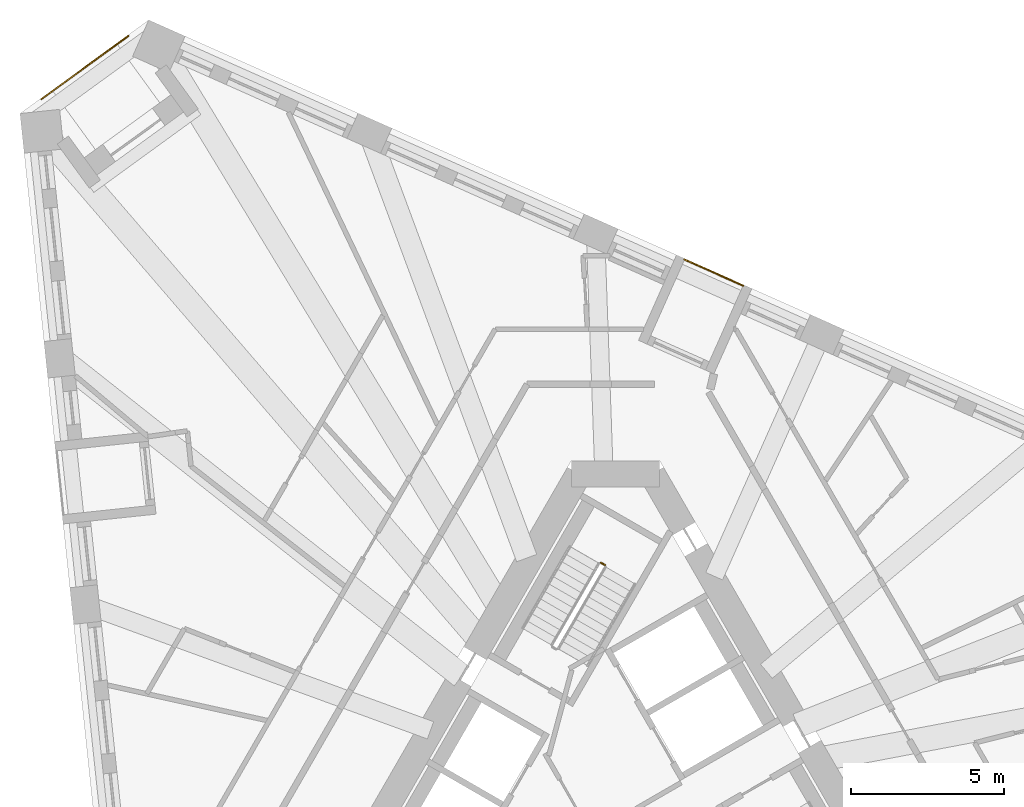
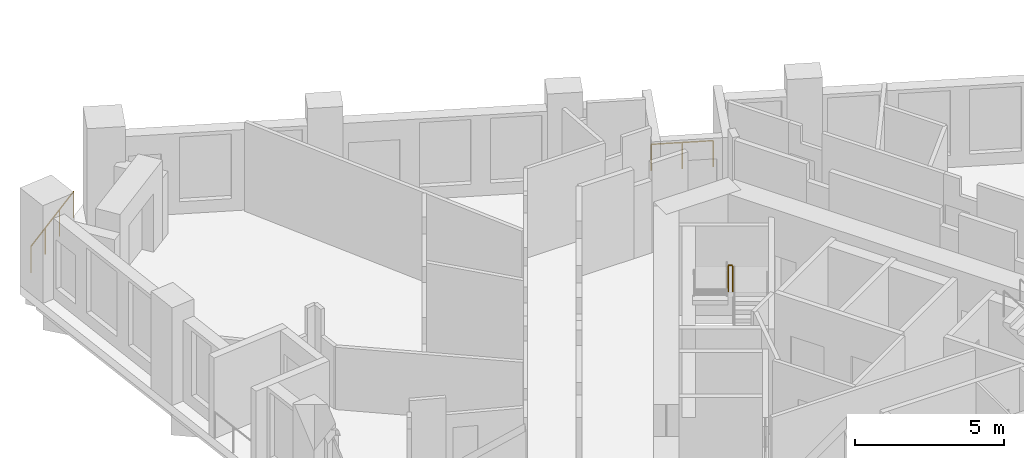
# One storey, part 13 of 14: 3 railings.
"""IFC4 building model written with IfcOpenShell, lengths in metres."""

from ifc_helpers import new_model, si_unit, direction, frame, origin, origin_2d, place, context, subcontext, project, spatial, circle, extrude, material, type_object, element, save


model = new_model("IFC4")

# Units and contexts
model_context = context("Model", 3, precision=1e-05, world=origin(), true_north=direction((0.0, 1.0)))
body_context = subcontext(model_context, "Body", "Model", "MODEL_VIEW")
ifc_project = project(units=[si_unit("LENGTHUNIT", "METRE"), si_unit("AREAUNIT", "SQUARE_METRE"), si_unit("VOLUMEUNIT", "CUBIC_METRE"), si_unit("PLANEANGLEUNIT", "RADIAN"), si_unit("MASSUNIT", "GRAM", prefix="KILO")], contexts=[model_context])

# Site, building, storey
site_placement = place(None, origin())
site = spatial("IfcSite", under=ifc_project, at=site_placement, CompositionType="ELEMENT")
building_placement = place(site_placement, origin())
building = spatial("IfcBuilding", under=site, at=building_placement, Name="Tramontana Tower", CompositionType="ELEMENT")
storey_placement = place(building_placement, frame((0.0, 0.0, 178.800048828125)))
storey = spatial("IfcBuildingStorey", under=building, at=storey_placement, Name="L41", CompositionType="ELEMENT", Elevation=178.800048828125)

# Railings
ifc_material_1 = material(Name="Laminated glass balustrade", Category="glass")
railing_type_1 = type_object("IfcRailingType", Name="GD1 Loggia glass balustrade 1100", PredefinedType="BALUSTRADE", material=ifc_material_1)
railing_1_placement = place(storey_placement, frame((4.1669921875, 16.720703125, 0.0)))
element("IfcRailing", 1, at=railing_1_placement, inside=storey, type_object=railing_type_1, Name="Loggia balustrade L41 G4S2.10", PredefinedType="BALUSTRADE", context=body_context, shape_type="SweptSolid", body=[
    extrude(circle(Radius=0.02392578125, at=origin_2d()), frame((0.0, 0.0, 1.076171875), z_axis=(-0.913556597974, 0.40671162056, 0.0), x_axis=(-0.40671162056, -0.913556597974, 0.0)), (0.0, 0.0, 1.0), 2.094482421875),
    extrude(circle(Radius=0.02099609375, at=origin_2d()), origin(), (0.0, 0.0, 1.0), 1.052001953125),
    extrude(circle(Radius=0.02099609375, at=origin_2d()), frame((-0.95654296875, 0.42578125, 0.0)), (0.0, 0.0, 1.0), 1.052001953125),
    extrude(circle(Radius=0.02099609375, at=origin_2d()), frame((-1.913330078125, 0.851806640625, 0.0)), (0.0, 0.0, 1.0), 1.052001953125),
])
railing_2_placement = place(storey_placement, frame((-18.73779296875, 22.81298828125, 0.0)))
element("IfcRailing", 2, at=railing_2_placement, inside=storey, type_object=railing_type_1, Name="Corner loggia balustrade L41 K40", PredefinedType="BALUSTRADE", context=body_context, shape_type="SweptSolid", body=[
    extrude(circle(Radius=0.02392578125, at=origin_2d()), frame((0.0, 0.0, 1.076171875), z_axis=(0.808998426921, 0.587810807352, 0.0), x_axis=(-0.587810807352, 0.808998426921, 0.0)), (0.0, 0.0, 1.0), 3.5),
    extrude(circle(Radius=0.02099609375, at=origin_2d()), origin(), (0.0, 0.0, 1.0), 1.052001953125),
    extrude(circle(Radius=0.02099609375, at=origin_2d()), frame((0.94384765625, 0.685791015625, 0.0)), (0.0, 0.0, 1.0), 1.052001953125),
    extrude(circle(Radius=0.02099609375, at=origin_2d()), frame((1.8876953125, 1.37158203125, 0.0)), (0.0, 0.0, 1.0), 1.052001953125),
    extrude(circle(Radius=0.02099609375, at=origin_2d()), frame((2.83154296875, 2.057373046875, 0.0)), (0.0, 0.0, 1.0), 1.052001953125),
])
ifc_material_2 = material(Name="Painted steel", Category="steel")
railing_type_2 = type_object("IfcRailingType", Name="STAIR GUARD 1100", PredefinedType="GUARDRAIL", material=ifc_material_2)
railing_3_placement = place(storey_placement, frame((-0.345703125, 7.601318359375, 2.0)))
element("IfcRailing", 3, at=railing_3_placement, inside=storey, type_object=railing_type_2, Name="L41 ST1 stair guard 3", PredefinedType="GUARDRAIL", context=body_context, shape_type="SweptSolid", body=[
    extrude(circle(Radius=0.02392578125, at=origin_2d()), frame((0.0, 0.0, 1.076171875), z_axis=(-0.866131372301, 0.499816412211, 0.0), x_axis=(-0.499816412211, -0.866131372301, 0.0)), (0.0, 0.0, 1.0), 0.14990234375),
    extrude(circle(Radius=0.02099609375, at=origin_2d()), origin(), (0.0, 0.0, 1.0), 1.052001953125),
    extrude(circle(Radius=0.02099609375, at=origin_2d()), frame((-0.1298828125, 0.074951171875, 0.0)), (0.0, 0.0, 1.0), 1.052001953125),
])

save(model, "model.ifc")
